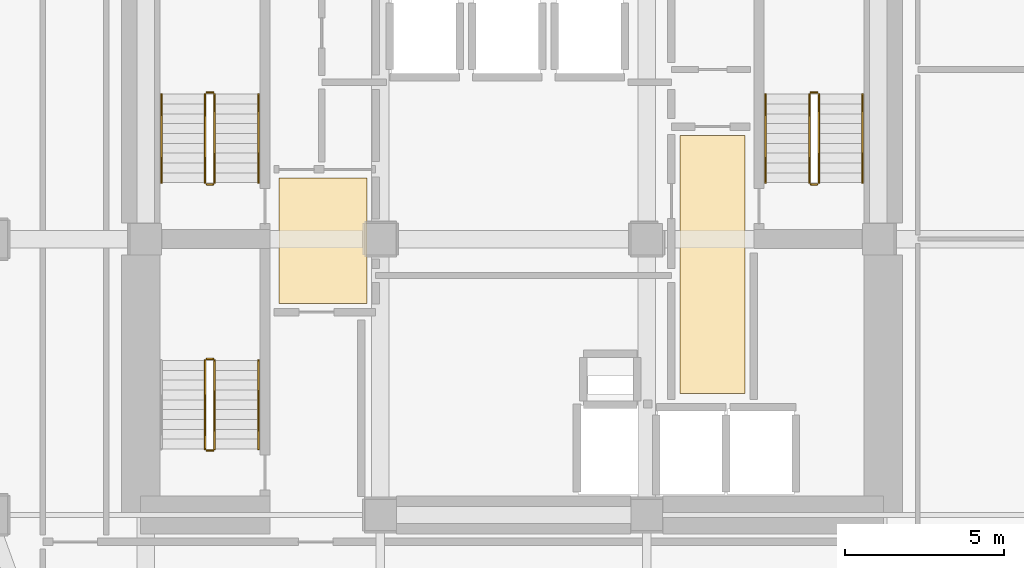
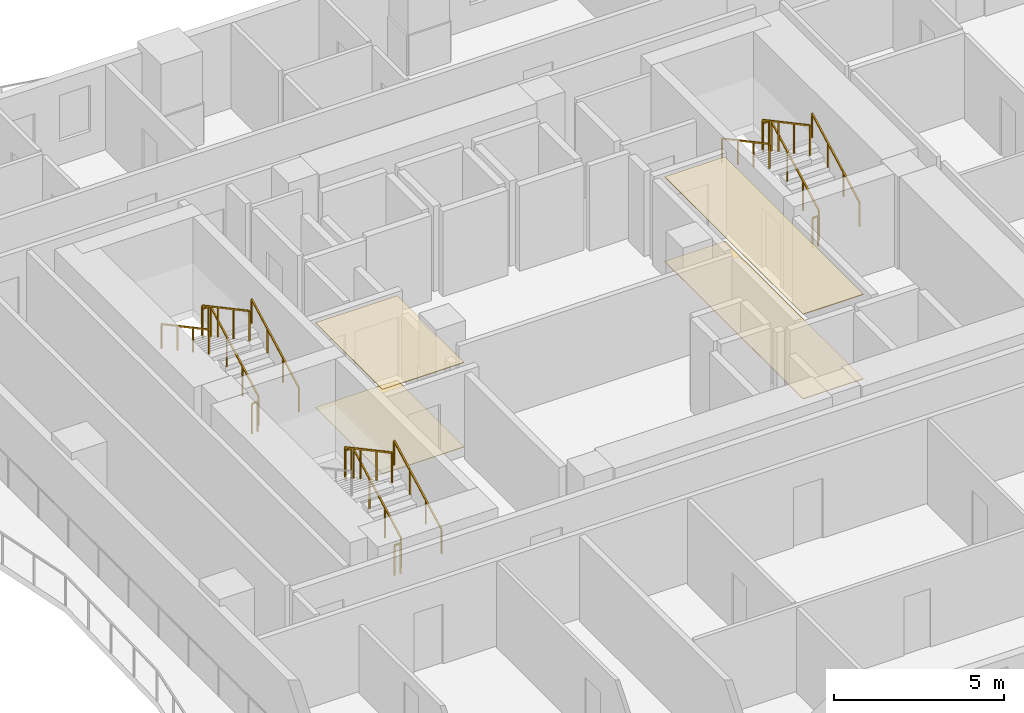
# One storey, part 9 of 10: 17 railings, 4 coverings.
"""IFC4 building model written with IfcOpenShell, lengths in metres."""

from ifc_helpers import new_model, si_unit, direction, frame, origin, origin_2d, place, context, subcontext, project, spatial, polyline, rectangle, outline, extrude, material, layer, layer_set, type_object, element, save


model = new_model("IFC4")

# Units and contexts
model_context = context("Model", 3, precision=1e-05, world=origin(), true_north=direction((0.0, 1.0)))
body_context = subcontext(model_context, "Body", "Model", "MODEL_VIEW")
ifc_project = project(units=[si_unit("LENGTHUNIT", "METRE"), si_unit("AREAUNIT", "SQUARE_METRE"), si_unit("VOLUMEUNIT", "CUBIC_METRE"), si_unit("PLANEANGLEUNIT", "RADIAN"), si_unit("MASSUNIT", "GRAM", prefix="KILO")], contexts=[model_context])

# Site, building, storey
site_placement = place(None, origin())
site = spatial("IfcSite", under=ifc_project, at=site_placement, CompositionType="ELEMENT")
building_placement = place(site_placement, origin())
building = spatial("IfcBuilding", under=site, at=building_placement, Name="Solanera Arch Residences", CompositionType="ELEMENT")
storey_placement = place(building_placement, frame((0.0, 0.0, 51.8798828125)))
storey = spatial("IfcBuildingStorey", under=building, at=storey_placement, Name="L14", CompositionType="ELEMENT", Elevation=51.8798828125)

# Coverings
ifc_material_1 = material(Name="Porcelain Acoustic Floor Tile", Category="ceramic")
ifc_layer_1 = layer(ifc_material_1, 0.02001953125)
ifc_layer_set_1 = layer_set([ifc_layer_1], Name="Porcelain Acoustic Floor Tile")
covering_type_1 = type_object("IfcCoveringType", Name="Porcelain Acoustic Floor Finish FLR-20", PredefinedType="FLOORING", material=ifc_layer_set_1)
covering_1_placement = place(storey_placement, origin())
element("IfcCovering", 1, at=covering_1_placement, inside=storey, type_object=covering_type_1, Name="L14-FFL-W Porcelain Floor Finish", PredefinedType="FLOORING", context=body_context, shape_type="SweptSolid", body=[
    extrude(outline(polyline([(20.375, 28.675048828125), (17.594970703125, 28.675048828125), (17.594970703125, 32.625), (20.375, 32.625), (20.375, 28.675048828125)])), origin(), (0.0, 0.0, 1.0), 0.02001953125),
])
covering_2_placement = place(storey_placement, origin())
element("IfcCovering", 2, at=covering_2_placement, inside=storey, type_object=covering_type_1, Name="L14-FFL-E Porcelain Floor Finish", PredefinedType="FLOORING", context=body_context, shape_type="SweptSolid", body=[
    extrude(outline(polyline([(32.304931640625, 25.824951171875), (30.25, 25.824951171875), (30.25, 33.97509765625), (32.304931640625, 33.97509765625), (32.304931640625, 25.824951171875)])), origin(), (0.0, 0.0, 1.0), 0.02001953125),
])

# Railings
ifc_material_2 = material(Name="Steel S355 (ASTM A992 / A572 Grade 50)", Category="steel")
railing_type_1 = type_object("IfcRailingType", Name="Stair Guardrail GR-1100", PredefinedType="GUARDRAIL", material=ifc_material_2)
railing_1_placement = place(storey_placement, frame((15.570068359375, 32.47998046875, 0.151123046875)))
element("IfcRailing", 3, at=railing_1_placement, inside=storey, type_object=railing_type_1, Name="L14 ST-T1 stair guard 1", PredefinedType="GUARDRAIL", context=body_context, shape_type="SweptSolid", body=[
    extrude(rectangle(XDim=0.048095703125, YDim=0.048095703125, at=origin_2d()), frame((0.0, 0.0, 1.076171875), z_axis=(0.0, 0.881580869306, 0.472033018838), x_axis=(-1.0, 0.0, 0.0)), (0.0, 0.0, 1.0), 3.164794921875),
    extrude(rectangle(XDim=0.0419921875, YDim=0.0419921875, at=origin_2d()), origin(), (0.0, 0.0, 1.0), 1.052001953125),
    extrude(rectangle(XDim=0.0419921875, YDim=0.0419921875, at=origin_2d()), frame((0.0, 0.929931640625, 0.498046875)), (0.0, 0.0, 1.0), 1.052001953125),
    extrude(rectangle(XDim=0.0419921875, YDim=0.0419921875, at=origin_2d()), frame((0.0, 1.860107421875, 0.995849609375)), (0.0, 0.0, 1.0), 1.052001953125),
    extrude(rectangle(XDim=0.0419921875, YDim=0.0419921875, at=origin_2d()), frame((0.0, 2.7900390625, 1.493896484375)), (0.0, 0.0, 1.0), 1.052001953125),
])
railing_2_placement = place(storey_placement, frame((15.52001953125, 35.320068359375, 1.64501953125)))
element("IfcRailing", 4, at=railing_2_placement, inside=storey, type_object=railing_type_1, Name="L14 ST-T1 stair guard 2", PredefinedType="GUARDRAIL", context=body_context, shape_type="SweptSolid", body=[
    extrude(rectangle(XDim=0.048095703125, YDim=0.048095703125, at=origin_2d()), frame((0.0, 0.0, 1.076171875), z_axis=(-1.0, 0.0, 0.0), x_axis=(0.0, -1.0, 0.0)), (0.0, 0.0, 1.0), 0.199951171875),
    extrude(rectangle(XDim=0.0419921875, YDim=0.0419921875, at=origin_2d()), origin(), (0.0, 0.0, 1.0), 1.052001953125),
    extrude(rectangle(XDim=0.0419921875, YDim=0.0419921875, at=origin_2d()), frame((-0.199951171875, 0.0, 0.0)), (0.0, 0.0, 1.0), 1.052001953125),
])
railing_3_placement = place(storey_placement, frame((15.27001953125, 35.27001953125, 1.81103515625)))
element("IfcRailing", 5, at=railing_3_placement, inside=storey, type_object=railing_type_1, Name="L14 ST-T1 stair guard 3", PredefinedType="GUARDRAIL", context=body_context, shape_type="SweptSolid", body=[
    extrude(rectangle(XDim=0.048095703125, YDim=0.048095703125, at=origin_2d()), frame((0.0, 0.0, 1.076171875), z_axis=(0.0, -0.881548766853, 0.472092969298), x_axis=(1.0, 0.0, 0.0)), (0.0, 0.0, 1.0), 3.1650390625),
    extrude(rectangle(XDim=0.0419921875, YDim=0.0419921875, at=origin_2d()), origin(), (0.0, 0.0, 1.0), 1.052001953125),
    extrude(rectangle(XDim=0.0419921875, YDim=0.0419921875, at=origin_2d()), frame((0.0, -0.929931640625, 0.498046875)), (0.0, 0.0, 1.0), 1.052001953125),
    extrude(rectangle(XDim=0.0419921875, YDim=0.0419921875, at=origin_2d()), frame((0.0, -1.860107421875, 0.99609375)), (0.0, 0.0, 1.0), 1.052001953125),
    extrude(rectangle(XDim=0.0419921875, YDim=0.0419921875, at=origin_2d()), frame((0.0, -2.7900390625, 1.494140625)), (0.0, 0.0, 1.0), 1.052001953125),
])
railing_4_placement = place(storey_placement, frame((15.52001953125, 32.429931640625, -0.014892578125)))
element("IfcRailing", 6, at=railing_4_placement, inside=storey, type_object=railing_type_1, Name="L14 ST-T1 stair guard 4", PredefinedType="GUARDRAIL", context=body_context, shape_type="SweptSolid", body=[
    extrude(rectangle(XDim=0.048095703125, YDim=0.048095703125, at=origin_2d()), frame((0.0, 0.0, 1.076171875), z_axis=(-1.0, 0.0, 0.0), x_axis=(0.0, -1.0, 0.0)), (0.0, 0.0, 1.0), 0.199951171875),
    extrude(rectangle(XDim=0.0419921875, YDim=0.0419921875, at=origin_2d()), origin(), (0.0, 0.0, 1.0), 1.052001953125),
    extrude(rectangle(XDim=0.0419921875, YDim=0.0419921875, at=origin_2d()), frame((-0.199951171875, 0.0, 0.0)), (0.0, 0.0, 1.0), 1.052001953125),
])
railing_5_placement = place(storey_placement, frame((34.6298828125, 32.47998046875, 0.151123046875)))
element("IfcRailing", 7, at=railing_5_placement, inside=storey, type_object=railing_type_1, Name="L14 ST-T2 stair guard 1", PredefinedType="GUARDRAIL", context=body_context, shape_type="SweptSolid", body=[
    extrude(rectangle(XDim=0.048095703125, YDim=0.048095703125, at=origin_2d()), frame((0.0, 0.0, 1.076171875), z_axis=(0.0, 0.881580869306, 0.472033018838), x_axis=(-1.0, 0.0, 0.0)), (0.0, 0.0, 1.0), 3.164794921875),
    extrude(rectangle(XDim=0.0419921875, YDim=0.0419921875, at=origin_2d()), origin(), (0.0, 0.0, 1.0), 1.052001953125),
    extrude(rectangle(XDim=0.0419921875, YDim=0.0419921875, at=origin_2d()), frame((0.0, 0.929931640625, 0.498046875)), (0.0, 0.0, 1.0), 1.052001953125),
    extrude(rectangle(XDim=0.0419921875, YDim=0.0419921875, at=origin_2d()), frame((0.0, 1.860107421875, 0.995849609375)), (0.0, 0.0, 1.0), 1.052001953125),
    extrude(rectangle(XDim=0.0419921875, YDim=0.0419921875, at=origin_2d()), frame((0.0, 2.7900390625, 1.493896484375)), (0.0, 0.0, 1.0), 1.052001953125),
])
railing_6_placement = place(storey_placement, frame((34.580078125, 35.320068359375, 1.64501953125)))
element("IfcRailing", 8, at=railing_6_placement, inside=storey, type_object=railing_type_1, Name="L14 ST-T2 stair guard 2", PredefinedType="GUARDRAIL", context=body_context, shape_type="SweptSolid", body=[
    extrude(rectangle(XDim=0.048095703125, YDim=0.048095703125, at=origin_2d()), frame((0.0, 0.0, 1.076171875), z_axis=(-1.0, 0.0, 0.0), x_axis=(0.0, -1.0, 0.0)), (0.0, 0.0, 1.0), 0.2001953125),
    extrude(rectangle(XDim=0.0419921875, YDim=0.0419921875, at=origin_2d()), origin(), (0.0, 0.0, 1.0), 1.052001953125),
    extrude(rectangle(XDim=0.0419921875, YDim=0.0419921875, at=origin_2d()), frame((-0.2001953125, 0.0, 0.0)), (0.0, 0.0, 1.0), 1.052001953125),
])
railing_7_placement = place(storey_placement, frame((34.330078125, 35.27001953125, 1.81103515625)))
element("IfcRailing", 9, at=railing_7_placement, inside=storey, type_object=railing_type_1, Name="L14 ST-T2 stair guard 3", PredefinedType="GUARDRAIL", context=body_context, shape_type="SweptSolid", body=[
    extrude(rectangle(XDim=0.048095703125, YDim=0.048095703125, at=origin_2d()), frame((0.0, 0.0, 1.076171875), z_axis=(0.0, -0.881548766853, 0.472092969298), x_axis=(1.0, 0.0, 0.0)), (0.0, 0.0, 1.0), 3.1650390625),
    extrude(rectangle(XDim=0.0419921875, YDim=0.0419921875, at=origin_2d()), origin(), (0.0, 0.0, 1.0), 1.052001953125),
    extrude(rectangle(XDim=0.0419921875, YDim=0.0419921875, at=origin_2d()), frame((0.0, -0.929931640625, 0.498046875)), (0.0, 0.0, 1.0), 1.052001953125),
    extrude(rectangle(XDim=0.0419921875, YDim=0.0419921875, at=origin_2d()), frame((0.0, -1.860107421875, 0.99609375)), (0.0, 0.0, 1.0), 1.052001953125),
    extrude(rectangle(XDim=0.0419921875, YDim=0.0419921875, at=origin_2d()), frame((0.0, -2.7900390625, 1.494140625)), (0.0, 0.0, 1.0), 1.052001953125),
])
railing_8_placement = place(storey_placement, frame((34.580078125, 32.429931640625, -0.014892578125)))
element("IfcRailing", 10, at=railing_8_placement, inside=storey, type_object=railing_type_1, Name="L14 ST-T2 stair guard 4", PredefinedType="GUARDRAIL", context=body_context, shape_type="SweptSolid", body=[
    extrude(rectangle(XDim=0.048095703125, YDim=0.048095703125, at=origin_2d()), frame((0.0, 0.0, 1.076171875), z_axis=(-1.0, 0.0, 0.0), x_axis=(0.0, -1.0, 0.0)), (0.0, 0.0, 1.0), 0.2001953125),
    extrude(rectangle(XDim=0.0419921875, YDim=0.0419921875, at=origin_2d()), origin(), (0.0, 0.0, 1.0), 1.052001953125),
    extrude(rectangle(XDim=0.0419921875, YDim=0.0419921875, at=origin_2d()), frame((-0.2001953125, 0.0, 0.0)), (0.0, 0.0, 1.0), 1.052001953125),
])
railing_9_placement = place(storey_placement, frame((15.570068359375, 24.080078125, 0.151123046875)))
element("IfcRailing", 11, at=railing_9_placement, inside=storey, type_object=railing_type_1, Name="L14 ST-T3 stair guard 1", PredefinedType="GUARDRAIL", context=body_context, shape_type="SweptSolid", body=[
    extrude(rectangle(XDim=0.048095703125, YDim=0.048095703125, at=origin_2d()), frame((0.0, 0.0, 1.076171875), z_axis=(0.0, 0.881580869306, 0.472033018838), x_axis=(-1.0, 0.0, 0.0)), (0.0, 0.0, 1.0), 3.164794921875),
    extrude(rectangle(XDim=0.0419921875, YDim=0.0419921875, at=origin_2d()), origin(), (0.0, 0.0, 1.0), 1.052001953125),
    extrude(rectangle(XDim=0.0419921875, YDim=0.0419921875, at=origin_2d()), frame((0.0, 0.929931640625, 0.498046875)), (0.0, 0.0, 1.0), 1.052001953125),
    extrude(rectangle(XDim=0.0419921875, YDim=0.0419921875, at=origin_2d()), frame((0.0, 1.860107421875, 0.995849609375)), (0.0, 0.0, 1.0), 1.052001953125),
    extrude(rectangle(XDim=0.0419921875, YDim=0.0419921875, at=origin_2d()), frame((0.0, 2.7900390625, 1.493896484375)), (0.0, 0.0, 1.0), 1.052001953125),
])
railing_10_placement = place(storey_placement, frame((15.52001953125, 26.919921875, 1.64501953125)))
element("IfcRailing", 12, at=railing_10_placement, inside=storey, type_object=railing_type_1, Name="L14 ST-T3 stair guard 2", PredefinedType="GUARDRAIL", context=body_context, shape_type="SweptSolid", body=[
    extrude(rectangle(XDim=0.048095703125, YDim=0.048095703125, at=origin_2d()), frame((0.0, 0.0, 1.076171875), z_axis=(-1.0, 0.0, 0.0), x_axis=(0.0, -1.0, 0.0)), (0.0, 0.0, 1.0), 0.199951171875),
    extrude(rectangle(XDim=0.0419921875, YDim=0.0419921875, at=origin_2d()), origin(), (0.0, 0.0, 1.0), 1.052001953125),
    extrude(rectangle(XDim=0.0419921875, YDim=0.0419921875, at=origin_2d()), frame((-0.199951171875, 0.0, 0.0)), (0.0, 0.0, 1.0), 1.052001953125),
])
railing_11_placement = place(storey_placement, frame((15.27001953125, 26.8701171875, 1.81103515625)))
element("IfcRailing", 13, at=railing_11_placement, inside=storey, type_object=railing_type_1, Name="L14 ST-T3 stair guard 3", PredefinedType="GUARDRAIL", context=body_context, shape_type="SweptSolid", body=[
    extrude(rectangle(XDim=0.048095703125, YDim=0.048095703125, at=origin_2d()), frame((0.0, 0.0, 1.076171875), z_axis=(0.0, -0.881548766853, 0.472092969298), x_axis=(1.0, 0.0, 0.0)), (0.0, 0.0, 1.0), 3.1650390625),
    extrude(rectangle(XDim=0.0419921875, YDim=0.0419921875, at=origin_2d()), origin(), (0.0, 0.0, 1.0), 1.052001953125),
    extrude(rectangle(XDim=0.0419921875, YDim=0.0419921875, at=origin_2d()), frame((0.0, -0.929931640625, 0.498046875)), (0.0, 0.0, 1.0), 1.052001953125),
    extrude(rectangle(XDim=0.0419921875, YDim=0.0419921875, at=origin_2d()), frame((0.0, -1.860107421875, 0.99609375)), (0.0, 0.0, 1.0), 1.052001953125),
    extrude(rectangle(XDim=0.0419921875, YDim=0.0419921875, at=origin_2d()), frame((0.0, -2.7900390625, 1.494140625)), (0.0, 0.0, 1.0), 1.052001953125),
])
railing_12_placement = place(storey_placement, frame((15.52001953125, 24.030029296875, -0.014892578125)))
element("IfcRailing", 14, at=railing_12_placement, inside=storey, type_object=railing_type_1, Name="L14 ST-T3 stair guard 4", PredefinedType="GUARDRAIL", context=body_context, shape_type="SweptSolid", body=[
    extrude(rectangle(XDim=0.048095703125, YDim=0.048095703125, at=origin_2d()), frame((0.0, 0.0, 1.076171875), z_axis=(-1.0, 0.0, 0.0), x_axis=(0.0, -1.0, 0.0)), (0.0, 0.0, 1.0), 0.199951171875),
    extrude(rectangle(XDim=0.0419921875, YDim=0.0419921875, at=origin_2d()), origin(), (0.0, 0.0, 1.0), 1.052001953125),
    extrude(rectangle(XDim=0.0419921875, YDim=0.0419921875, at=origin_2d()), frame((-0.199951171875, 0.0, 0.0)), (0.0, 0.0, 1.0), 1.052001953125),
])
ifc_material_3 = material(Name="Steel S355 (ASTM A992 / A572 Grade 50)", Category="steel")
railing_type_2 = type_object("IfcRailingType", Name="Stair Wall Handrail HR-920", PredefinedType="HANDRAIL", material=ifc_material_3)
railing_13_placement = place(storey_placement, frame((16.949951171875, 32.47998046875, 0.166015625)))
element("IfcRailing", 15, at=railing_13_placement, inside=storey, type_object=railing_type_2, Name="L14 ST-T1 stair handrail 1", PredefinedType="HANDRAIL", context=body_context, shape_type="SweptSolid", body=[
    extrude(rectangle(XDim=0.048095703125, YDim=0.048095703125, at=origin_2d()), frame((0.0, 0.0, 0.8759765625), z_axis=(0.0, 0.881548766853, 0.472092969298), x_axis=(-1.0, 0.0, 0.0)), (0.0, 0.0, 1.0), 3.1650390625),
    extrude(rectangle(XDim=0.0419921875, YDim=0.0419921875, at=origin_2d()), origin(), (0.0, 0.0, 1.0), 0.851806640625),
    extrude(rectangle(XDim=0.0419921875, YDim=0.0419921875, at=origin_2d()), frame((0.0, 0.929931640625, 0.498046875)), (0.0, 0.0, 1.0), 0.851806640625),
    extrude(rectangle(XDim=0.0419921875, YDim=0.0419921875, at=origin_2d()), frame((0.0, 1.860107421875, 0.99609375)), (0.0, 0.0, 1.0), 0.851806640625),
    extrude(rectangle(XDim=0.0419921875, YDim=0.0419921875, at=origin_2d()), frame((0.0, 2.7900390625, 1.494140625)), (0.0, 0.0, 1.0), 0.851806640625),
])
railing_14_placement = place(storey_placement, frame((13.889892578125, 35.27001953125, 1.826171875)))
element("IfcRailing", 16, at=railing_14_placement, inside=storey, type_object=railing_type_2, Name="L14 ST-T1 stair handrail 2", PredefinedType="HANDRAIL", context=body_context, shape_type="SweptSolid", body=[
    extrude(rectangle(XDim=0.048095703125, YDim=0.048095703125, at=origin_2d()), frame((0.0, 0.0, 0.8759765625), z_axis=(0.0, -0.881580869306, 0.472033018838), x_axis=(1.0, 0.0, 0.0)), (0.0, 0.0, 1.0), 3.164794921875),
    extrude(rectangle(XDim=0.0419921875, YDim=0.0419921875, at=origin_2d()), origin(), (0.0, 0.0, 1.0), 0.851806640625),
    extrude(rectangle(XDim=0.0419921875, YDim=0.0419921875, at=origin_2d()), frame((0.0, -0.929931640625, 0.498046875)), (0.0, 0.0, 1.0), 0.851806640625),
    extrude(rectangle(XDim=0.0419921875, YDim=0.0419921875, at=origin_2d()), frame((0.0, -1.860107421875, 0.995849609375)), (0.0, 0.0, 1.0), 0.851806640625),
    extrude(rectangle(XDim=0.0419921875, YDim=0.0419921875, at=origin_2d()), frame((0.0, -2.7900390625, 1.493896484375)), (0.0, 0.0, 1.0), 0.851806640625),
])
railing_15_placement = place(storey_placement, frame((36.010009765625, 32.47998046875, 0.166015625)))
element("IfcRailing", 17, at=railing_15_placement, inside=storey, type_object=railing_type_2, Name="L14 ST-T2 stair handrail 1", PredefinedType="HANDRAIL", context=body_context, shape_type="SweptSolid", body=[
    extrude(rectangle(XDim=0.048095703125, YDim=0.048095703125, at=origin_2d()), frame((0.0, 0.0, 0.8759765625), z_axis=(0.0, 0.881548766853, 0.472092969298), x_axis=(-1.0, 0.0, 0.0)), (0.0, 0.0, 1.0), 3.1650390625),
    extrude(rectangle(XDim=0.0419921875, YDim=0.0419921875, at=origin_2d()), origin(), (0.0, 0.0, 1.0), 0.851806640625),
    extrude(rectangle(XDim=0.0419921875, YDim=0.0419921875, at=origin_2d()), frame((0.0, 0.929931640625, 0.498046875)), (0.0, 0.0, 1.0), 0.851806640625),
    extrude(rectangle(XDim=0.0419921875, YDim=0.0419921875, at=origin_2d()), frame((0.0, 1.860107421875, 0.99609375)), (0.0, 0.0, 1.0), 0.851806640625),
    extrude(rectangle(XDim=0.0419921875, YDim=0.0419921875, at=origin_2d()), frame((0.0, 2.7900390625, 1.494140625)), (0.0, 0.0, 1.0), 0.851806640625),
])
railing_16_placement = place(storey_placement, frame((32.949951171875, 35.27001953125, 1.826171875)))
element("IfcRailing", 18, at=railing_16_placement, inside=storey, type_object=railing_type_2, Name="L14 ST-T2 stair handrail 2", PredefinedType="HANDRAIL", context=body_context, shape_type="SweptSolid", body=[
    extrude(rectangle(XDim=0.048095703125, YDim=0.048095703125, at=origin_2d()), frame((0.0, 0.0, 0.8759765625), z_axis=(0.0, -0.881580869306, 0.472033018838), x_axis=(1.0, 0.0, 0.0)), (0.0, 0.0, 1.0), 3.164794921875),
    extrude(rectangle(XDim=0.0419921875, YDim=0.0419921875, at=origin_2d()), origin(), (0.0, 0.0, 1.0), 0.851806640625),
    extrude(rectangle(XDim=0.0419921875, YDim=0.0419921875, at=origin_2d()), frame((0.0, -0.929931640625, 0.498046875)), (0.0, 0.0, 1.0), 0.851806640625),
    extrude(rectangle(XDim=0.0419921875, YDim=0.0419921875, at=origin_2d()), frame((0.0, -1.860107421875, 0.995849609375)), (0.0, 0.0, 1.0), 0.851806640625),
    extrude(rectangle(XDim=0.0419921875, YDim=0.0419921875, at=origin_2d()), frame((0.0, -2.7900390625, 1.493896484375)), (0.0, 0.0, 1.0), 0.851806640625),
])
railing_17_placement = place(storey_placement, frame((16.949951171875, 24.080078125, 0.166015625)))
element("IfcRailing", 19, at=railing_17_placement, inside=storey, type_object=railing_type_2, Name="L14 ST-T3 stair handrail 1", PredefinedType="HANDRAIL", context=body_context, shape_type="SweptSolid", body=[
    extrude(rectangle(XDim=0.048095703125, YDim=0.048095703125, at=origin_2d()), frame((0.0, 0.0, 0.8759765625), z_axis=(0.0, 0.881548766853, 0.472092969298), x_axis=(-1.0, 0.0, 0.0)), (0.0, 0.0, 1.0), 3.1650390625),
    extrude(rectangle(XDim=0.0419921875, YDim=0.0419921875, at=origin_2d()), origin(), (0.0, 0.0, 1.0), 0.851806640625),
    extrude(rectangle(XDim=0.0419921875, YDim=0.0419921875, at=origin_2d()), frame((0.0, 0.929931640625, 0.498046875)), (0.0, 0.0, 1.0), 0.851806640625),
    extrude(rectangle(XDim=0.0419921875, YDim=0.0419921875, at=origin_2d()), frame((0.0, 1.860107421875, 0.99609375)), (0.0, 0.0, 1.0), 0.851806640625),
    extrude(rectangle(XDim=0.0419921875, YDim=0.0419921875, at=origin_2d()), frame((0.0, 2.7900390625, 1.494140625)), (0.0, 0.0, 1.0), 0.851806640625),
])

# Coverings
ifc_material_4 = material(Name="Mineral Fibre Acoustic Ceiling Board", Category="gypsum")
ifc_layer_2 = layer(ifc_material_4, 0.02490234375)
ifc_layer_set_2 = layer_set([ifc_layer_2], Name="Mineral Fibre Acoustic Ceiling Board")
covering_type_2 = type_object("IfcCoveringType", Name="Suspended Acoustic Ceiling Board CLG-25", PredefinedType="CEILING", material=ifc_layer_set_2)
covering_3_placement = place(storey_placement, frame((0.0, 0.0, 3.03515625)))
element("IfcCovering", 20, at=covering_3_placement, inside=storey, type_object=covering_type_2, Name="L14-FFL-W Acoustic Ceiling", PredefinedType="CEILING", context=body_context, shape_type="SweptSolid", body=[
    extrude(outline(polyline([(20.375, 28.675048828125), (17.594970703125, 28.675048828125), (17.594970703125, 32.625), (20.375, 32.625), (20.375, 28.675048828125)])), origin(), (0.0, 0.0, 1.0), 0.02490234375),
])
covering_4_placement = place(storey_placement, frame((0.0, 0.0, 3.03515625)))
element("IfcCovering", 21, at=covering_4_placement, inside=storey, type_object=covering_type_2, Name="L14-FFL-E Acoustic Ceiling", PredefinedType="CEILING", context=body_context, shape_type="SweptSolid", body=[
    extrude(outline(polyline([(32.304931640625, 25.824951171875), (30.25, 25.824951171875), (30.25, 33.97509765625), (32.304931640625, 33.97509765625), (32.304931640625, 25.824951171875)])), origin(), (0.0, 0.0, 1.0), 0.02490234375),
])

save(model, "model.ifc")
